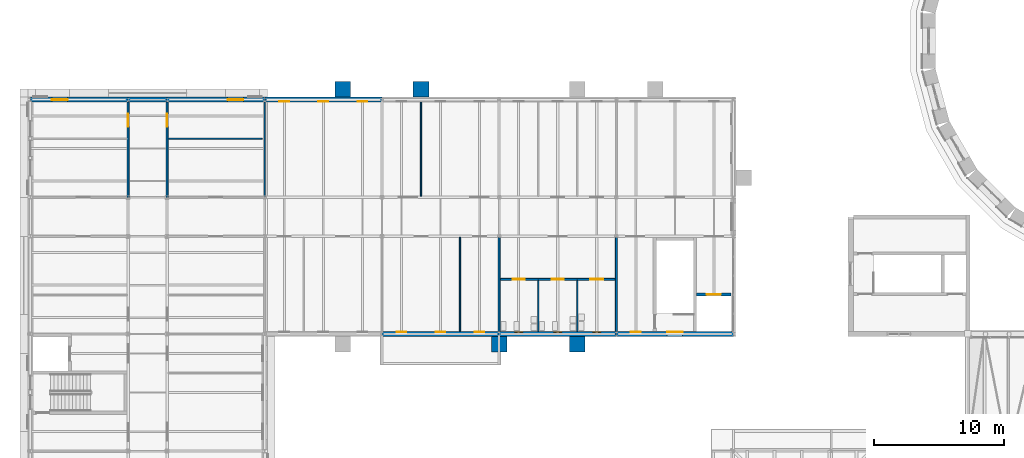
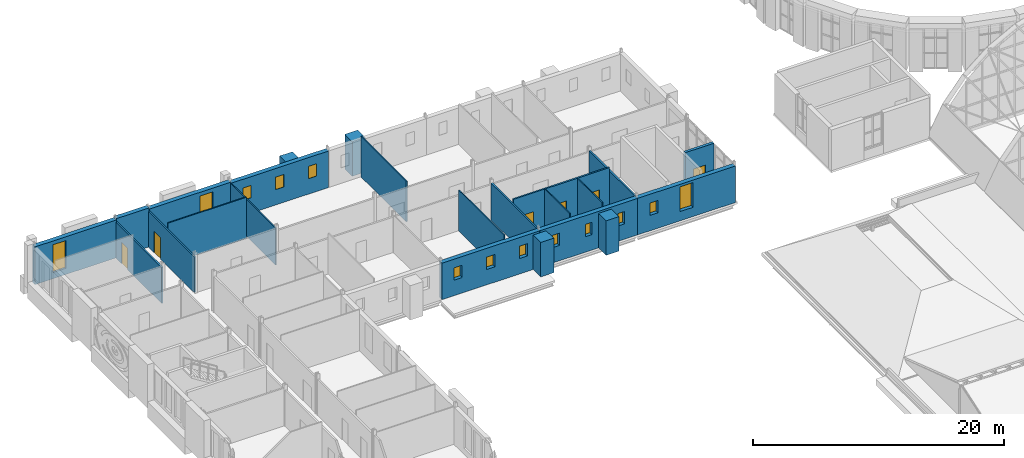
# One storey, part 93 of 121: 23 walls, 13 windows, 6 doors, 19 openings.
"""IFC4 building model written with IfcOpenShell, lengths in metres."""

from ifc_helpers import new_model, si_unit, direction, frame, frame_2d, origin, place, context, subcontext, project, spatial, rectangle, extrude, material, layer, layer_set, type_object, element, fill, save


model = new_model("IFC4")

# Units and contexts
model_context = context("Model", 3, precision=1e-05, world=origin(), true_north=direction((0.0, 1.0)))
body_context = subcontext(model_context, "Body", "Model", "MODEL_VIEW")
ifc_project = project(units=[si_unit("LENGTHUNIT", "METRE"), si_unit("AREAUNIT", "SQUARE_METRE"), si_unit("VOLUMEUNIT", "CUBIC_METRE"), si_unit("PLANEANGLEUNIT", "RADIAN"), si_unit("MASSUNIT", "GRAM", prefix="KILO")], contexts=[model_context])

# Site, building, storey
site_placement = place(None, origin())
site = spatial("IfcSite", under=ifc_project, at=site_placement, CompositionType="ELEMENT")
building_placement = place(site_placement, origin())
building = spatial("IfcBuilding", under=site, at=building_placement, Name="Golden Quay Civic Hall", CompositionType="ELEMENT")
storey_placement = place(building_placement, frame((0.0, 0.0, 18.60009765625)))
storey = spatial("IfcBuildingStorey", under=building, at=storey_placement, Name="L04", CompositionType="ELEMENT", Elevation=18.60009765625)

# Wall, openings, windows
ifc_material_1 = material(Name="Brick, dark clay facing", Category="masonry")
ifc_layer_1 = layer(ifc_material_1, 0.39990234375)
ifc_layer_set_1 = layer_set([ifc_layer_1], Name="Brick external wall 400")
wall_type_1 = type_object("IfcWallType", Name="Brick external wall 400", PredefinedType="STANDARD", material=ifc_layer_set_1)
wall_1_placement = place(storey_placement, frame((18.0087890625, 81.0, 0.0), z_axis=(0.0, 0.0, 1.0), x_axis=(1.0, 0.0, 0.0)))
wall_1 = element("IfcWall", 1, at=wall_1_placement, inside=storey, type_object=wall_type_1, Name="Brick external wall 400 L04 2", PredefinedType="STANDARD", context=body_context, shape_type="SweptSolid", body=[
    extrude(rectangle(XDim=8.98291015625, YDim=0.39990234375, at=frame_2d((4.491455078125, 0.0))), origin(), (0.0, 0.0, 1.0), 3.5498046875),
])
opening_1_placement = place(wall_1_placement, frame((1.1162109375, 0.0, 1.5)))
opening_1 = element("IfcOpeningElement", 2, at=opening_1_placement, cuts=wall_1, Name="Opening WN11", PredefinedType="OPENING", context=body_context, shape_type="SweptSolid", body=[
    extrude(rectangle(XDim=0.75, YDim=1.199951171875, at=frame_2d((0.375, 0.60009765625))), frame((0.0, 0.2099609375, 0.0), z_axis=(0.0, -1.0, 0.0), x_axis=(1.0, 0.0, 0.0)), (0.0, 0.0, 1.0), 0.419921875),
])
opening_2_placement = place(wall_1_placement, frame((4.1162109375, 0.0, 1.5)))
opening_2 = element("IfcOpeningElement", 3, at=opening_2_placement, cuts=wall_1, Name="Opening WN11", PredefinedType="OPENING", context=body_context, shape_type="SweptSolid", body=[
    extrude(rectangle(XDim=0.75, YDim=1.199951171875, at=frame_2d((0.375, 0.60009765625))), frame((0.0, 0.2099609375, 0.0), z_axis=(0.0, -1.0, 0.0), x_axis=(1.0, 0.0, 0.0)), (0.0, 0.0, 1.0), 0.419921875),
])
opening_3_placement = place(wall_1_placement, frame((7.1162109375, 0.0, 1.5)))
opening_3 = element("IfcOpeningElement", 4, at=opening_3_placement, cuts=wall_1, Name="Opening WN11", PredefinedType="OPENING", context=body_context, shape_type="SweptSolid", body=[
    extrude(rectangle(XDim=0.75, YDim=1.199951171875, at=frame_2d((0.375, 0.60009765625))), frame((0.0, 0.2099609375, 0.0), z_axis=(0.0, -1.0, 0.0), x_axis=(1.0, 0.0, 0.0)), (0.0, 0.0, 1.0), 0.419921875),
])
ifc_material_2 = material(Name="Aluminium frame, double glazed", Category="aluminium")
window_type_1 = type_object("IfcWindowType", Name="Attic pair window 750 x 1200", PartitioningType="SINGLE_PANEL", PredefinedType="WINDOW", material=ifc_material_2)
window_1_placement = place(opening_1_placement, origin())
window_1 = element("IfcWindow", 5, at=window_1_placement, inside=storey, type_object=window_type_1, Name="Attic pair window 750 x 1200 L04 1", OverallHeight=1.199951171875, OverallWidth=0.75, PartitioningType="SINGLE_PANEL", PredefinedType="WINDOW", context=body_context, shape_type="SweptSolid", body=[
    extrude(rectangle(XDim=0.75, YDim=1.199951171875, at=frame_2d((0.375, 0.60009765625))), frame((0.0, -0.119873046875, 0.0), z_axis=(0.0, -1.0, 0.0), x_axis=(1.0, 0.0, 0.0)), (0.0, 0.0, 1.0), 0.06005859375),
])
fill(opening_1, window_1)
window_2_placement = place(opening_2_placement, origin())
window_2 = element("IfcWindow", 6, at=window_2_placement, inside=storey, type_object=window_type_1, Name="Attic pair window 750 x 1200 L04 2", OverallHeight=1.199951171875, OverallWidth=0.75, PartitioningType="SINGLE_PANEL", PredefinedType="WINDOW", context=body_context, shape_type="SweptSolid", body=[
    extrude(rectangle(XDim=0.75, YDim=1.199951171875, at=frame_2d((0.375, 0.60009765625))), frame((0.0, -0.119873046875, 0.0), z_axis=(0.0, -1.0, 0.0), x_axis=(1.0, 0.0, 0.0)), (0.0, 0.0, 1.0), 0.06005859375),
])
fill(opening_2, window_2)
window_3_placement = place(opening_3_placement, origin())
window_3 = element("IfcWindow", 7, at=window_3_placement, inside=storey, type_object=window_type_1, Name="Attic pair window 750 x 1200 L04 3", OverallHeight=1.199951171875, OverallWidth=0.75, PartitioningType="SINGLE_PANEL", PredefinedType="WINDOW", context=body_context, shape_type="SweptSolid", body=[
    extrude(rectangle(XDim=0.75, YDim=1.199951171875, at=frame_2d((0.375, 0.60009765625))), frame((0.0, -0.119873046875, 0.0), z_axis=(0.0, -1.0, 0.0), x_axis=(1.0, 0.0, 0.0)), (0.0, 0.0, 1.0), 0.06005859375),
])
fill(opening_3, window_3)

wall_2_placement = place(storey_placement, frame((35.99169921875, 63.0, 0.0), z_axis=(0.0, 0.0, 1.0), x_axis=(-1.0, 0.0, 0.0)))
wall_2 = element("IfcWall", 8, at=wall_2_placement, inside=storey, type_object=wall_type_1, Name="Brick external wall 400 L04 9", PredefinedType="STANDARD", context=body_context, shape_type="SweptSolid", body=[
    extrude(rectangle(XDim=8.9833984375, YDim=0.39990234375, at=frame_2d((4.49169921875, 0.0))), origin(), (0.0, 0.0, 1.0), 3.5498046875),
])
opening_4_placement = place(wall_2_placement, frame((7.11669921875, 0.0, 1.5)))
opening_4 = element("IfcOpeningElement", 9, at=opening_4_placement, cuts=wall_2, Name="Opening WN11", PredefinedType="OPENING", context=body_context, shape_type="SweptSolid", body=[
    extrude(rectangle(XDim=0.75, YDim=1.199951171875, at=frame_2d((0.375, 0.60009765625))), frame((0.0, 0.2099609375, 0.0), z_axis=(0.0, -1.0, 0.0), x_axis=(1.0, 0.0, 0.0)), (0.0, 0.0, 1.0), 0.419921875),
])
opening_5_placement = place(wall_2_placement, frame((4.11669921875, 0.0, 1.5)))
opening_5 = element("IfcOpeningElement", 10, at=opening_5_placement, cuts=wall_2, Name="Opening WN11", PredefinedType="OPENING", context=body_context, shape_type="SweptSolid", body=[
    extrude(rectangle(XDim=0.75, YDim=1.199951171875, at=frame_2d((0.375, 0.60009765625))), frame((0.0, 0.2099609375, 0.0), z_axis=(0.0, -1.0, 0.0), x_axis=(1.0, 0.0, 0.0)), (0.0, 0.0, 1.0), 0.419921875),
])
opening_6_placement = place(wall_2_placement, frame((1.11669921875, 0.0, 1.5)))
opening_6 = element("IfcOpeningElement", 11, at=opening_6_placement, cuts=wall_2, Name="Opening WN11", PredefinedType="OPENING", context=body_context, shape_type="SweptSolid", body=[
    extrude(rectangle(XDim=0.75, YDim=1.199951171875, at=frame_2d((0.375, 0.60009765625))), frame((0.0, 0.2099609375, 0.0), z_axis=(0.0, -1.0, 0.0), x_axis=(1.0, 0.0, 0.0)), (0.0, 0.0, 1.0), 0.419921875),
])
window_4_placement = place(opening_4_placement, origin())
window_4 = element("IfcWindow", 12, at=window_4_placement, inside=storey, type_object=window_type_1, Name="Attic pair window 750 x 1200 L04 18", OverallHeight=1.199951171875, OverallWidth=0.75, PartitioningType="SINGLE_PANEL", PredefinedType="WINDOW", context=body_context, shape_type="SweptSolid", body=[
    extrude(rectangle(XDim=0.75, YDim=1.199951171875, at=frame_2d((0.375, 0.60009765625))), frame((0.0, -0.119873046875, 0.0), z_axis=(0.0, -1.0, 0.0), x_axis=(1.0, 0.0, 0.0)), (0.0, 0.0, 1.0), 0.06005859375),
])
fill(opening_4, window_4)
window_5_placement = place(opening_5_placement, origin())
window_5 = element("IfcWindow", 13, at=window_5_placement, inside=storey, type_object=window_type_1, Name="Attic pair window 750 x 1200 L04 19", OverallHeight=1.199951171875, OverallWidth=0.75, PartitioningType="SINGLE_PANEL", PredefinedType="WINDOW", context=body_context, shape_type="SweptSolid", body=[
    extrude(rectangle(XDim=0.75, YDim=1.199951171875, at=frame_2d((0.375, 0.60009765625))), frame((0.0, -0.119873046875, 0.0), z_axis=(0.0, -1.0, 0.0), x_axis=(1.0, 0.0, 0.0)), (0.0, 0.0, 1.0), 0.06005859375),
])
fill(opening_5, window_5)
window_6_placement = place(opening_6_placement, origin())
window_6 = element("IfcWindow", 14, at=window_6_placement, inside=storey, type_object=window_type_1, Name="Attic pair window 750 x 1200 L04 20", OverallHeight=1.199951171875, OverallWidth=0.75, PartitioningType="SINGLE_PANEL", PredefinedType="WINDOW", context=body_context, shape_type="SweptSolid", body=[
    extrude(rectangle(XDim=0.75, YDim=1.199951171875, at=frame_2d((0.375, 0.60009765625))), frame((0.0, -0.119873046875, 0.0), z_axis=(0.0, -1.0, 0.0), x_axis=(1.0, 0.0, 0.0)), (0.0, 0.0, 1.0), 0.06005859375),
])
fill(opening_6, window_6)

wall_3_placement = place(storey_placement, frame((44.99169921875, 63.0, 0.0), z_axis=(0.0, 0.0, 1.0), x_axis=(-1.0, 0.0, 0.0)))
wall_3 = element("IfcWall", 15, at=wall_3_placement, inside=storey, type_object=wall_type_1, Name="Brick external wall 400 L04 10", PredefinedType="STANDARD", context=body_context, shape_type="SweptSolid", body=[
    extrude(rectangle(XDim=8.9833984375, YDim=0.39990234375, at=frame_2d((4.49169921875, 0.0))), origin(), (0.0, 0.0, 1.0), 3.5498046875),
])
opening_7_placement = place(wall_3_placement, frame((7.191650390625, 0.0, 1.5)))
opening_7 = element("IfcOpeningElement", 16, at=opening_7_placement, cuts=wall_3, Name="Opening WN1", PredefinedType="OPENING", context=body_context, shape_type="SweptSolid", body=[
    extrude(rectangle(XDim=0.60009765625, YDim=1.199951171875, at=frame_2d((0.300048828125, 0.60009765625))), frame((0.0, 0.2099609375, 0.0), z_axis=(0.0, -1.0, 0.0), x_axis=(1.0, 0.0, 0.0)), (0.0, 0.0, 1.0), 0.419921875),
])
opening_8_placement = place(wall_3_placement, frame((4.191650390625, 0.0, 1.5)))
opening_8 = element("IfcOpeningElement", 17, at=opening_8_placement, cuts=wall_3, Name="Opening WN1", PredefinedType="OPENING", context=body_context, shape_type="SweptSolid", body=[
    extrude(rectangle(XDim=0.60009765625, YDim=1.199951171875, at=frame_2d((0.300048828125, 0.60009765625))), frame((0.0, 0.2099609375, 0.0), z_axis=(0.0, -1.0, 0.0), x_axis=(1.0, 0.0, 0.0)), (0.0, 0.0, 1.0), 0.419921875),
])
opening_9_placement = place(wall_3_placement, frame((1.191650390625, 0.0, 1.5)))
opening_9 = element("IfcOpeningElement", 18, at=opening_9_placement, cuts=wall_3, Name="Opening WN1", PredefinedType="OPENING", context=body_context, shape_type="SweptSolid", body=[
    extrude(rectangle(XDim=0.60009765625, YDim=1.199951171875, at=frame_2d((0.300048828125, 0.60009765625))), frame((0.0, 0.2099609375, 0.0), z_axis=(0.0, -1.0, 0.0), x_axis=(1.0, 0.0, 0.0)), (0.0, 0.0, 1.0), 0.419921875),
])
ifc_material_3 = material(Name="Aluminium frame, double glazed", Category="aluminium")
window_type_2 = type_object("IfcWindowType", Name="WC window 600 x 1200", PartitioningType="SINGLE_PANEL", PredefinedType="WINDOW", material=ifc_material_3)
window_7_placement = place(opening_7_placement, origin())
window_7 = element("IfcWindow", 19, at=window_7_placement, inside=storey, type_object=window_type_2, Name="WC window 600 x 1200 L04 5", OverallHeight=1.199951171875, OverallWidth=0.60009765625, PartitioningType="SINGLE_PANEL", PredefinedType="WINDOW", context=body_context, shape_type="SweptSolid", body=[
    extrude(rectangle(XDim=0.60009765625, YDim=1.199951171875, at=frame_2d((0.300048828125, 0.60009765625))), frame((0.0, -0.119873046875, 0.0), z_axis=(0.0, -1.0, 0.0), x_axis=(1.0, 0.0, 0.0)), (0.0, 0.0, 1.0), 0.06005859375),
])
fill(opening_7, window_7)
window_8_placement = place(opening_8_placement, origin())
window_8 = element("IfcWindow", 20, at=window_8_placement, inside=storey, type_object=window_type_2, Name="WC window 600 x 1200 L04 6", OverallHeight=1.199951171875, OverallWidth=0.60009765625, PartitioningType="SINGLE_PANEL", PredefinedType="WINDOW", context=body_context, shape_type="SweptSolid", body=[
    extrude(rectangle(XDim=0.60009765625, YDim=1.199951171875, at=frame_2d((0.300048828125, 0.60009765625))), frame((0.0, -0.119873046875, 0.0), z_axis=(0.0, -1.0, 0.0), x_axis=(1.0, 0.0, 0.0)), (0.0, 0.0, 1.0), 0.06005859375),
])
fill(opening_8, window_8)
window_9_placement = place(opening_9_placement, origin())
window_9 = element("IfcWindow", 21, at=window_9_placement, inside=storey, type_object=window_type_2, Name="WC window 600 x 1200 L04 7", OverallHeight=1.199951171875, OverallWidth=0.60009765625, PartitioningType="SINGLE_PANEL", PredefinedType="WINDOW", context=body_context, shape_type="SweptSolid", body=[
    extrude(rectangle(XDim=0.60009765625, YDim=1.199951171875, at=frame_2d((0.300048828125, 0.60009765625))), frame((0.0, -0.119873046875, 0.0), z_axis=(0.0, -1.0, 0.0), x_axis=(1.0, 0.0, 0.0)), (0.0, 0.0, 1.0), 0.06005859375),
])
fill(opening_9, window_9)

ifc_material_4 = material(Name="Brick, dark clay facing", Category="masonry")
ifc_layer_2 = layer(ifc_material_4, 0.39990234375)
ifc_layer_set_2 = layer_set([ifc_layer_2], Name="Brick external wall 400 fire EI 60")
wall_type_2 = type_object("IfcWallType", Name="Brick external wall 400 fire EI 60", PredefinedType="STANDARD", material=ifc_layer_set_2)
wall_4_placement = place(storey_placement, frame((53.99169921875, 63.0, 0.0), z_axis=(0.0, 0.0, 1.0), x_axis=(-1.0, 0.0, 0.0)))
wall_4 = element("IfcWall", 22, at=wall_4_placement, inside=storey, type_object=wall_type_2, Name="Brick external wall 400 fire EI 60 L04 1", PredefinedType="STANDARD", context=body_context, shape_type="SweptSolid", body=[
    extrude(rectangle(XDim=8.9833984375, YDim=0.39990234375, at=frame_2d((4.49169921875, 0.0))), origin(), (0.0, 0.0, 1.0), 3.5498046875),
])
opening_10_placement = place(wall_4_placement, frame((7.11669921875, 0.0, 1.5)))
opening_10 = element("IfcOpeningElement", 23, at=opening_10_placement, cuts=wall_4, Name="Opening WN11", PredefinedType="OPENING", context=body_context, shape_type="SweptSolid", body=[
    extrude(rectangle(XDim=0.75, YDim=1.199951171875, at=frame_2d((0.375, 0.60009765625))), frame((0.0, 0.2099609375, 0.0), z_axis=(0.0, -1.0, 0.0), x_axis=(1.0, 0.0, 0.0)), (0.0, 0.0, 1.0), 0.419921875),
])
opening_11_placement = place(wall_4_placement, frame((3.891845703125, 0.0, 0.89990234375)))
opening_11 = element("IfcOpeningElement", 24, at=opening_11_placement, cuts=wall_4, Name="Opening WN15", PredefinedType="OPENING", context=body_context, shape_type="SweptSolid", body=[
    extrude(rectangle(XDim=1.199951171875, YDim=2.39990234375, at=frame_2d((0.60009765625, 1.199951171875))), frame((0.0, 0.2099609375, 0.0), z_axis=(0.0, -1.0, 0.0), x_axis=(1.0, 0.0, 0.0)), (0.0, 0.0, 1.0), 0.419921875),
])
window_10_placement = place(opening_10_placement, origin())
window_10 = element("IfcWindow", 25, at=window_10_placement, inside=storey, type_object=window_type_1, Name="Attic pair window 750 x 1200 L04 21", OverallHeight=1.199951171875, OverallWidth=0.75, PartitioningType="SINGLE_PANEL", PredefinedType="WINDOW", context=body_context, shape_type="SweptSolid", body=[
    extrude(rectangle(XDim=0.75, YDim=1.199951171875, at=frame_2d((0.375, 0.60009765625))), frame((0.0, -0.119873046875, 0.0), z_axis=(0.0, -1.0, 0.0), x_axis=(1.0, 0.0, 0.0)), (0.0, 0.0, 1.0), 0.06005859375),
])
fill(opening_10, window_10)
ifc_material_5 = material(Name="Aluminium frame, double glazed", Category="aluminium")
window_type_3 = type_object("IfcWindowType", Name="Stair light window 1200 x 2400", PartitioningType="SINGLE_PANEL", PredefinedType="WINDOW", material=ifc_material_5)
window_11_placement = place(opening_11_placement, origin())
window_11 = element("IfcWindow", 26, at=window_11_placement, inside=storey, type_object=window_type_3, Name="Stair light window 1200 x 2400 L04 1", OverallHeight=2.39990234375, OverallWidth=1.199951171875, PartitioningType="SINGLE_PANEL", PredefinedType="WINDOW", context=body_context, shape_type="SweptSolid", body=[
    extrude(rectangle(XDim=1.199951171875, YDim=2.39990234375, at=frame_2d((0.60009765625, 1.199951171875))), frame((0.0, -0.119873046875, 0.0), z_axis=(0.0, -1.0, 0.0), x_axis=(1.0, 0.0, 0.0)), (0.0, 0.0, 1.0), 0.06005859375),
])
fill(opening_11, window_11)

# Walls
ifc_material_6 = material(Name="Brick, dark clay facing", Category="masonry")
ifc_layer_3 = layer(ifc_material_6, 1.199951171875)
ifc_layer_set_3 = layer_set([ifc_layer_3], Name="Brick pilaster 1200 x 1200")
wall_type_3 = type_object("IfcWallType", Name="Brick pilaster 1200 x 1200", PredefinedType="STANDARD", material=ifc_layer_set_3)
for number, where, z_axis, x_axis, name in (
    (27, (23.39990234375, 81.800048828125, 0.0), (0.0, 0.0, 1.0), (1.0, 0.0, 0.0), "Brick pilaster 1200 x 1200 L04 1"),
    (28, (29.39990234375, 81.800048828125, 0.0), (0.0, 0.0, 1.0), (1.0, 0.0, 0.0), "Brick pilaster 1200 x 1200 L04 2"),
    (29, (35.39990234375, 62.199951171875, 0.0), (0.0, 0.0, 1.0), (1.0, 0.0, 0.0), "Brick pilaster 1200 x 1200 L04 7"),
    (30, (41.39990234375, 62.199951171875, 0.0), (0.0, 0.0, 1.0), (1.0, 0.0, 0.0), "Brick pilaster 1200 x 1200 L04 8"),
):
    element("IfcWall", number, at=place(storey_placement, frame(where, z_axis=z_axis, x_axis=x_axis)), inside=storey, type_object=wall_type_3, Name=name, PredefinedType="STANDARD", context=body_context, shape_type="SweptSolid", body=[
        extrude(rectangle(XDim=1.2001953125, YDim=1.199951171875, at=frame_2d((0.60009765625, 0.0))), origin(), (0.0, 0.0, 1.0), 3.349853515625),
    ])

# Wall, opening, door
ifc_material_7 = material(Name="Concrete C40/50", Category="concrete")
ifc_layer_4 = layer(ifc_material_7, 0.25)
ifc_layer_set_4 = layer_set([ifc_layer_4], Name="Concrete core wall 250, Concrete C40/50")
wall_type_4 = type_object("IfcWallType", Name="Concrete core wall 250", PredefinedType="SHEAR", material=ifc_layer_set_4)
wall_5_placement = place(storey_placement, frame((51.175048828125, 66.02490234375, 0.0), z_axis=(0.0, 0.0, 1.0), x_axis=(1.0, 0.0, 0.0)))
wall_5 = element("IfcWall", 31, at=wall_5_placement, inside=storey, type_object=wall_type_4, Name="Core wall NW-E-W4", PredefinedType="SHEAR", context=body_context, shape_type="SweptSolid", body=[
    extrude(rectangle(XDim=2.625, YDim=0.25, at=frame_2d((1.3125, 0.0))), origin(), (0.0, 0.0, 1.0), 3.949951171875),
])
opening_12_placement = place(wall_5_placement, frame((0.762451171875, 0.0, 0.0)))
opening_12 = element("IfcOpeningElement", 32, at=opening_12_placement, cuts=wall_5, Name="Opening L04-D060", PredefinedType="OPENING", context=body_context, shape_type="SweptSolid", body=[
    extrude(rectangle(XDim=1.10009765625, YDim=2.10009765625, at=frame_2d((0.550048828125, 1.050048828125))), frame((0.0, 0.135009765625, 0.0), z_axis=(0.0, -1.0, 0.0), x_axis=(1.0, 0.0, 0.0)), (0.0, 0.0, 1.0), 0.27001953125),
])
ifc_material_8 = material(Name="Steel", Category="steel")
door_type_1 = type_object("IfcDoorType", Name="Lift landing door 1100 x 2100", OperationType="SLIDING_TO_LEFT", PredefinedType="DOOR", material=ifc_material_8)
door_1_placement = place(opening_12_placement, origin())
door_1 = element("IfcDoor", 33, at=door_1_placement, inside=storey, type_object=door_type_1, Name="Lift landing door L04-D060 NW-E", OperationType="SLIDING_TO_LEFT", OverallHeight=2.10009765625, OverallWidth=1.10009765625, PredefinedType="DOOR", context=body_context, shape_type="SweptSolid", body=[
    extrude(rectangle(XDim=1.10009765625, YDim=2.10009765625, at=frame_2d((0.550048828125, 1.050048828125))), frame((0.0, 0.02490234375, 0.0), z_axis=(0.0, -1.0, 0.0), x_axis=(1.0, 0.0, 0.0)), (0.0, 0.0, 1.0), 0.050048828125),
])
fill(opening_12, door_1)

# Walls
ifc_material_9 = material(Name="Plasterboard on steel studs", Category="steel")
ifc_layer_5 = layer(ifc_material_9, 0.10009765625)
ifc_layer_set_5 = layer_set([ifc_layer_5], Name="Partition 100 stud")
wall_type_5 = type_object("IfcWallType", Name="Partition 100 stud", PredefinedType="PARTITIONING", material=ifc_layer_set_5)
wall_6_placement = place(storey_placement, frame((10.574951171875, 78.0, 0.0), z_axis=(0.0, 0.0, 1.0), x_axis=(1.0, 0.0, 0.0)))
element("IfcWall", 34, at=wall_6_placement, inside=storey, type_object=wall_type_5, Name="Partition L04-039", PredefinedType="PARTITIONING", context=body_context, shape_type="SweptSolid", body=[
    extrude(rectangle(XDim=7.22509765625, YDim=0.10009765625, at=frame_2d((3.612548828125, 0.0))), origin(), (0.0, 0.0, 1.0), 4.0),
])
wall_7_placement = place(storey_placement, frame((18.0, 73.574951171875, 0.0), z_axis=(0.0, 0.0, 1.0), x_axis=(0.0, 1.0, 0.0)))
element("IfcWall", 35, at=wall_7_placement, inside=storey, type_object=wall_type_5, Name="Partition L04-041", PredefinedType="PARTITIONING", context=body_context, shape_type="SweptSolid", body=[
    extrude(rectangle(XDim=7.22509765625, YDim=0.10009765625, at=frame_2d((3.612548828125, 0.0))), origin(), (0.0, 0.0, 1.0), 3.579833984375),
])
for number, where, z_axis, x_axis, name in (
    (36, (33.0, 63.199951171875, 0.0), (0.0, 0.0, 1.0), (0.0, 1.0, 0.0), "Partition L04-002"),
    (37, (30.0, 73.574951171875, 0.0), (0.0, 0.0, 1.0), (0.0, 1.0, 0.0), "Partition L04-004"),
):
    element("IfcWall", number, at=place(storey_placement, frame(where, z_axis=z_axis, x_axis=x_axis)), inside=storey, type_object=wall_type_5, Name=name, PredefinedType="PARTITIONING", context=body_context, shape_type="SweptSolid", body=[
        extrude(rectangle(XDim=7.22509765625, YDim=0.10009765625, at=frame_2d((3.612548828125, 0.0))), origin(), (0.0, 0.0, 1.0), 3.949951171875),
    ])
for number, where, z_axis, x_axis, name in (
    (38, (39.0, 63.199951171875, 0.0), (0.0, 0.0, 1.0), (0.0, 1.0, 0.0), "Partition L04-012"),
    (39, (42.0, 63.199951171875, 0.0), (0.0, 0.0, 1.0), (0.0, 1.0, 0.0), "Partition L04-013"),
):
    element("IfcWall", number, at=place(storey_placement, frame(where, z_axis=z_axis, x_axis=x_axis)), inside=storey, type_object=wall_type_5, Name=name, PredefinedType="PARTITIONING", context=body_context, shape_type="SweptSolid", body=[
        extrude(rectangle(XDim=3.925048828125, YDim=0.10009765625, at=frame_2d((1.96240234375, 0.0))), origin(), (0.0, 0.0, 1.0), 3.949951171875),
    ])

# Wall, opening, door
ifc_material_10 = material(Name="Plasterboard on steel studs", Category="steel")
ifc_layer_6 = layer(ifc_material_10, 0.14990234375)
ifc_layer_set_6 = layer_set([ifc_layer_6], Name="Partition 150 stud fire EI 60")
wall_type_6 = type_object("IfcWallType", Name="Partition 150 stud fire EI 60", PredefinedType="PARTITIONING", material=ifc_layer_set_6)
wall_8_placement = place(storey_placement, frame((7.5, 73.5, 0.0), z_axis=(0.0, 0.0, 1.0), x_axis=(0.0, 1.0, 0.0)))
wall_8 = element("IfcWall", 40, at=wall_8_placement, inside=storey, type_object=wall_type_6, Name="Partition L04-025", PredefinedType="PARTITIONING", context=body_context, shape_type="SweptSolid", body=[
    extrude(rectangle(XDim=7.300048828125, YDim=0.14990234375, at=frame_2d((3.64990234375, 0.0))), origin(), (0.0, 0.0, 1.0), 3.47998046875),
])
opening_13_placement = place(wall_8_placement, frame((5.39990234375, 0.0, 0.0)))
opening_13 = element("IfcOpeningElement", 41, at=opening_13_placement, cuts=wall_8, Name="Opening L04-D039", PredefinedType="OPENING", context=body_context, shape_type="SweptSolid", body=[
    extrude(rectangle(XDim=1.0, YDim=2.10009765625, at=frame_2d((0.5, 1.050048828125))), frame((0.0, 0.0849609375, 0.0), z_axis=(0.0, -1.0, 0.0), x_axis=(1.0, 0.0, 0.0)), (0.0, 0.0, 1.0), 0.169921875),
])
ifc_material_11 = material(Name="Steel", Category="steel")
door_type_2 = type_object("IfcDoorType", Name="Steel fire door FD30S 1000 x 2100", OperationType="SINGLE_SWING_LEFT", PredefinedType="DOOR", material=ifc_material_11)
door_2_placement = place(opening_13_placement, origin())
door_2 = element("IfcDoor", 42, at=door_2_placement, inside=storey, type_object=door_type_2, Name="Door L04-D039", OperationType="SINGLE_SWING_LEFT", OverallHeight=2.10009765625, OverallWidth=1.0, PredefinedType="DOOR", context=body_context, shape_type="SweptSolid", body=[
    extrude(rectangle(XDim=1.0, YDim=2.10009765625, at=frame_2d((0.5, 1.050048828125))), frame((0.0, 0.02490234375, 0.0), z_axis=(0.0, -1.0, 0.0), x_axis=(1.0, 0.0, 0.0)), (0.0, 0.0, 1.0), 0.050048828125),
])
fill(opening_13, door_2)

wall_9_placement = place(storey_placement, frame((10.5, 73.5, 0.0), z_axis=(0.0, 0.0, 1.0), x_axis=(0.0, 1.0, 0.0)))
wall_9 = element("IfcWall", 43, at=wall_9_placement, inside=storey, type_object=wall_type_6, Name="Partition L04-027", PredefinedType="PARTITIONING", context=body_context, shape_type="SweptSolid", body=[
    extrude(rectangle(XDim=7.300048828125, YDim=0.14990234375, at=frame_2d((3.64990234375, 0.0))), origin(), (0.0, 0.0, 1.0), 3.47998046875),
])
opening_14_placement = place(wall_9_placement, frame((5.39990234375, 0.0, 0.0)))
opening_14 = element("IfcOpeningElement", 44, at=opening_14_placement, cuts=wall_9, Name="Opening L04-D041", PredefinedType="OPENING", context=body_context, shape_type="SweptSolid", body=[
    extrude(rectangle(XDim=1.0, YDim=2.10009765625, at=frame_2d((0.5, 1.050048828125))), frame((0.0, 0.0849609375, 0.0), z_axis=(0.0, -1.0, 0.0), x_axis=(1.0, 0.0, 0.0)), (0.0, 0.0, 1.0), 0.169921875),
])
door_3_placement = place(opening_14_placement, frame((1.0, 0.0, 0.0), z_axis=(0.0, 0.0, 1.0), x_axis=(-1.0, 0.0, 0.0)))
door_3 = element("IfcDoor", 45, at=door_3_placement, inside=storey, type_object=door_type_2, Name="Door L04-D041", OperationType="SINGLE_SWING_RIGHT", OverallHeight=2.10009765625, OverallWidth=1.0, PredefinedType="DOOR", context=body_context, shape_type="SweptSolid", body=[
    extrude(rectangle(XDim=1.0, YDim=2.10009765625, at=frame_2d((0.5, 1.050048828125))), frame((0.0, 0.025146484375, 0.0), z_axis=(0.0, -1.0, 0.0), x_axis=(1.0, 0.0, 0.0)), (0.0, 0.0, 1.0), 0.050048828125),
])
fill(opening_14, door_3)

# Walls
for number, where, z_axis, x_axis, name in (
    (46, (36.0, 63.199951171875, 0.0), (0.0, 0.0, 1.0), (0.0, 1.0, 0.0), "Partition L04-003"),
    (47, (45.0, 63.199951171875, 0.0), (0.0, 0.0, 1.0), (0.0, 1.0, 0.0), "Partition L04-008"),
):
    element("IfcWall", number, at=place(storey_placement, frame(where, z_axis=z_axis, x_axis=x_axis)), inside=storey, type_object=wall_type_6, Name=name, PredefinedType="PARTITIONING", context=body_context, shape_type="SweptSolid", body=[
        extrude(rectangle(XDim=7.22509765625, YDim=0.14990234375, at=frame_2d((3.612548828125, 0.0))), origin(), (0.0, 0.0, 1.0), 3.599853515625),
    ])

# Wall, openings, doors
wall_10_placement = place(storey_placement, frame((36.074951171875, 67.199951171875, 0.0), z_axis=(0.0, 0.0, 1.0), x_axis=(1.0, 0.0, 0.0)))
wall_10 = element("IfcWall", 48, at=wall_10_placement, inside=storey, type_object=wall_type_6, Name="Partition L04-011", PredefinedType="PARTITIONING", context=body_context, shape_type="SweptSolid", body=[
    extrude(rectangle(XDim=8.85009765625, YDim=0.14990234375, at=frame_2d((4.425048828125, 0.0))), origin(), (0.0, 0.0, 1.0), 3.949951171875),
])
opening_15_placement = place(wall_10_placement, frame((0.97509765625, 0.0, 0.0)))
opening_15 = element("IfcOpeningElement", 49, at=opening_15_placement, cuts=wall_10, Name="Opening L04-D054", PredefinedType="OPENING", context=body_context, shape_type="SweptSolid", body=[
    extrude(rectangle(XDim=0.89990234375, YDim=2.10009765625, at=frame_2d((0.449951171875, 1.050048828125))), frame((0.0, 0.0849609375, 0.0), z_axis=(0.0, -1.0, 0.0), x_axis=(1.0, 0.0, 0.0)), (0.0, 0.0, 1.0), 0.169921875),
])
opening_16_placement = place(wall_10_placement, frame((3.97509765625, 0.0, 0.0)))
opening_16 = element("IfcOpeningElement", 50, at=opening_16_placement, cuts=wall_10, Name="Opening L04-D055", PredefinedType="OPENING", context=body_context, shape_type="SweptSolid", body=[
    extrude(rectangle(XDim=0.89990234375, YDim=2.10009765625, at=frame_2d((0.449951171875, 1.050048828125))), frame((0.0, 0.0849609375, 0.0), z_axis=(0.0, -1.0, 0.0), x_axis=(1.0, 0.0, 0.0)), (0.0, 0.0, 1.0), 0.169921875),
])
opening_17_placement = place(wall_10_placement, frame((6.925048828125, 0.0, 0.0)))
opening_17 = element("IfcOpeningElement", 51, at=opening_17_placement, cuts=wall_10, Name="Opening L04-D056", PredefinedType="OPENING", context=body_context, shape_type="SweptSolid", body=[
    extrude(rectangle(XDim=1.0, YDim=2.10009765625, at=frame_2d((0.5, 1.050048828125))), frame((0.0, 0.0849609375, 0.0), z_axis=(0.0, -1.0, 0.0), x_axis=(1.0, 0.0, 0.0)), (0.0, 0.0, 1.0), 0.169921875),
])
ifc_material_12 = material(Name="Timber", Category="wood")
door_type_3 = type_object("IfcDoorType", Name="Timber door 1000 x 2100", OperationType="SINGLE_SWING_LEFT", PredefinedType="DOOR", material=ifc_material_12)
door_4_placement = place(opening_17_placement, frame((1.0, 0.0, 0.0), z_axis=(0.0, 0.0, 1.0), x_axis=(-1.0, 0.0, 0.0)))
door_4 = element("IfcDoor", 52, at=door_4_placement, inside=storey, type_object=door_type_3, Name="Door L04-D056", OperationType="SINGLE_SWING_RIGHT", OverallHeight=2.10009765625, OverallWidth=1.0, PredefinedType="DOOR", context=body_context, shape_type="SweptSolid", body=[
    extrude(rectangle(XDim=1.0, YDim=2.10009765625, at=frame_2d((0.5, 1.050048828125))), frame((0.0, 0.025146484375, 0.0), z_axis=(0.0, -1.0, 0.0), x_axis=(1.0, 0.0, 0.0)), (0.0, 0.0, 1.0), 0.050048828125),
])
fill(opening_17, door_4)
ifc_material_13 = material(Name="Timber", Category="wood")
door_type_4 = type_object("IfcDoorType", Name="Timber door 900 x 2100", OperationType="SINGLE_SWING_LEFT", PredefinedType="DOOR", material=ifc_material_13)
door_5_placement = place(opening_15_placement, frame((0.89990234375, 0.0, 0.0), z_axis=(0.0, 0.0, 1.0), x_axis=(-1.0, 0.0, 0.0)))
door_5 = element("IfcDoor", 53, at=door_5_placement, inside=storey, type_object=door_type_4, Name="Door L04-D054", OperationType="SINGLE_SWING_RIGHT", OverallHeight=2.10009765625, OverallWidth=0.89990234375, PredefinedType="DOOR", context=body_context, shape_type="SweptSolid", body=[
    extrude(rectangle(XDim=0.89990234375, YDim=2.10009765625, at=frame_2d((0.449951171875, 1.050048828125))), frame((0.0, 0.025146484375, 0.0), z_axis=(0.0, -1.0, 0.0), x_axis=(1.0, 0.0, 0.0)), (0.0, 0.0, 1.0), 0.050048828125),
])
fill(opening_15, door_5)
door_6_placement = place(opening_16_placement, frame((0.89990234375, 0.0, 0.0), z_axis=(0.0, 0.0, 1.0), x_axis=(-1.0, 0.0, 0.0)))
door_6 = element("IfcDoor", 54, at=door_6_placement, inside=storey, type_object=door_type_4, Name="Door L04-D055", OperationType="SINGLE_SWING_RIGHT", OverallHeight=2.10009765625, OverallWidth=0.89990234375, PredefinedType="DOOR", context=body_context, shape_type="SweptSolid", body=[
    extrude(rectangle(XDim=0.89990234375, YDim=2.10009765625, at=frame_2d((0.449951171875, 1.050048828125))), frame((0.0, 0.025146484375, 0.0), z_axis=(0.0, -1.0, 0.0), x_axis=(1.0, 0.0, 0.0)), (0.0, 0.0, 1.0), 0.050048828125),
])
fill(opening_16, door_6)

# Wall, opening, window
ifc_material_14 = material(Name="Clay block, rendered, cream")
ifc_layer_7 = layer(ifc_material_14, 0.39990234375)
ifc_layer_set_7 = layer_set([ifc_layer_7], Name="Rendered block external wall 400")
wall_type_7 = type_object("IfcWallType", Name="Rendered block external wall 400", PredefinedType="STANDARD", material=ifc_layer_set_7)
wall_11_placement = place(storey_placement, frame((0.0087890625, 81.0, 0.0), z_axis=(0.0, 0.0, 1.0), x_axis=(1.0, 0.0, 0.0)))
wall_11 = element("IfcWall", 55, at=wall_11_placement, inside=storey, type_object=wall_type_7, Name="Rendered block external wall 400 L04 9", PredefinedType="STANDARD", context=body_context, shape_type="SweptSolid", body=[
    extrude(rectangle(XDim=7.482421875, YDim=0.39990234375, at=frame_2d((3.7412109375, 0.0))), origin(), (0.0, 0.0, 1.0), 3.669921875),
])
opening_18_placement = place(wall_11_placement, frame((1.641357421875, 0.0, 0.60009765625)))
opening_18 = element("IfcOpeningElement", 56, at=opening_18_placement, cuts=wall_11, Name="Opening WN8", PredefinedType="OPENING", context=body_context, shape_type="SweptSolid", body=[
    extrude(rectangle(XDim=1.199951171875, YDim=2.699951171875, at=frame_2d((0.60009765625, 1.35009765625))), frame((0.0, 0.2099609375, 0.0), z_axis=(0.0, -1.0, 0.0), x_axis=(1.0, 0.0, 0.0)), (0.0, 0.0, 1.0), 0.419921875),
])
ifc_material_15 = material(Name="Aluminium frame, double glazed", Category="aluminium")
window_type_4 = type_object("IfcWindowType", Name="Golden grid window 1200 x 2700", PartitioningType="SINGLE_PANEL", PredefinedType="WINDOW", material=ifc_material_15)
window_12_placement = place(opening_18_placement, origin())
window_12 = element("IfcWindow", 57, at=window_12_placement, inside=storey, type_object=window_type_4, Name="Golden grid window 1200 x 2700 L04 12", OverallHeight=2.699951171875, OverallWidth=1.199951171875, PartitioningType="SINGLE_PANEL", PredefinedType="WINDOW", context=body_context, shape_type="SweptSolid", body=[
    extrude(rectangle(XDim=1.199951171875, YDim=2.699951171875, at=frame_2d((0.60009765625, 1.35009765625))), frame((0.0, 0.030029296875, 0.0), z_axis=(0.0, -1.0, 0.0), x_axis=(1.0, 0.0, 0.0)), (0.0, 0.0, 1.0), 0.06005859375),
])
fill(opening_18, window_12)

# Wall
wall_12_placement = place(storey_placement, frame((7.5087890625, 81.0, 0.0), z_axis=(0.0, 0.0, 1.0), x_axis=(1.0, 0.0, 0.0)))
element("IfcWall", 58, at=wall_12_placement, inside=storey, type_object=wall_type_7, Name="Rendered block external wall 400 L04 10", PredefinedType="STANDARD", context=body_context, shape_type="SweptSolid", body=[
    extrude(rectangle(XDim=2.982421875, YDim=0.39990234375, at=frame_2d((1.4912109375, 0.0))), origin(), (0.0, 0.0, 1.0), 3.7998046875),
])

# Wall, opening, window
wall_13_placement = place(storey_placement, frame((10.5087890625, 81.0, 0.0), z_axis=(0.0, 0.0, 1.0), x_axis=(1.0, 0.0, 0.0)))
wall_13 = element("IfcWall", 59, at=wall_13_placement, inside=storey, type_object=wall_type_7, Name="Rendered block external wall 400 L04 11", PredefinedType="STANDARD", context=body_context, shape_type="SweptSolid", body=[
    extrude(rectangle(XDim=7.482421875, YDim=0.39990234375, at=frame_2d((3.7412109375, 0.0))), origin(), (0.0, 0.0, 1.0), 3.669921875),
])
opening_19_placement = place(wall_13_placement, frame((4.641357421875, 0.0, 0.60009765625)))
opening_19 = element("IfcOpeningElement", 60, at=opening_19_placement, cuts=wall_13, Name="Opening WN8", PredefinedType="OPENING", context=body_context, shape_type="SweptSolid", body=[
    extrude(rectangle(XDim=1.199951171875, YDim=2.699951171875, at=frame_2d((0.60009765625, 1.35009765625))), frame((0.0, 0.2099609375, 0.0), z_axis=(0.0, -1.0, 0.0), x_axis=(1.0, 0.0, 0.0)), (0.0, 0.0, 1.0), 0.419921875),
])
window_13_placement = place(opening_19_placement, origin())
window_13 = element("IfcWindow", 61, at=window_13_placement, inside=storey, type_object=window_type_4, Name="Golden grid window 1200 x 2700 L04 13", OverallHeight=2.699951171875, OverallWidth=1.199951171875, PartitioningType="SINGLE_PANEL", PredefinedType="WINDOW", context=body_context, shape_type="SweptSolid", body=[
    extrude(rectangle(XDim=1.199951171875, YDim=2.699951171875, at=frame_2d((0.60009765625, 1.35009765625))), frame((0.0, 0.030029296875, 0.0), z_axis=(0.0, -1.0, 0.0), x_axis=(1.0, 0.0, 0.0)), (0.0, 0.0, 1.0), 0.06005859375),
])
fill(opening_19, window_13)

save(model, "model.ifc")
